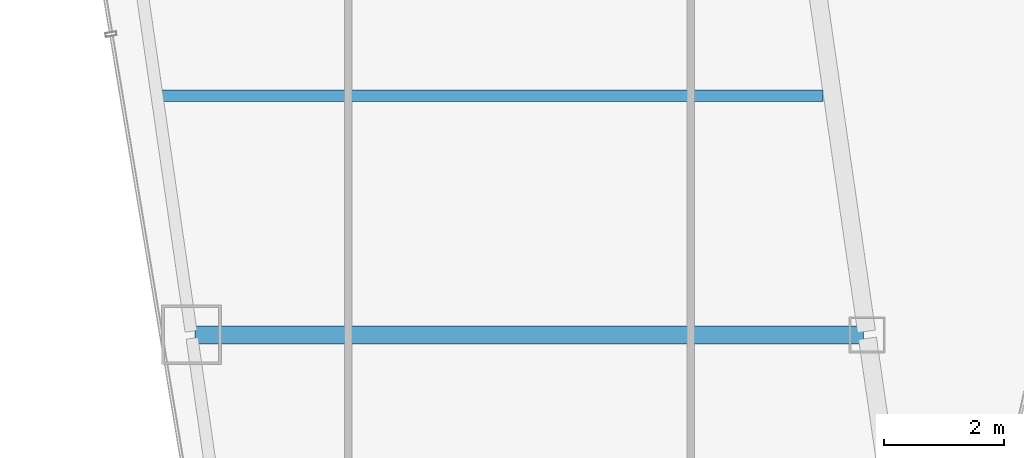
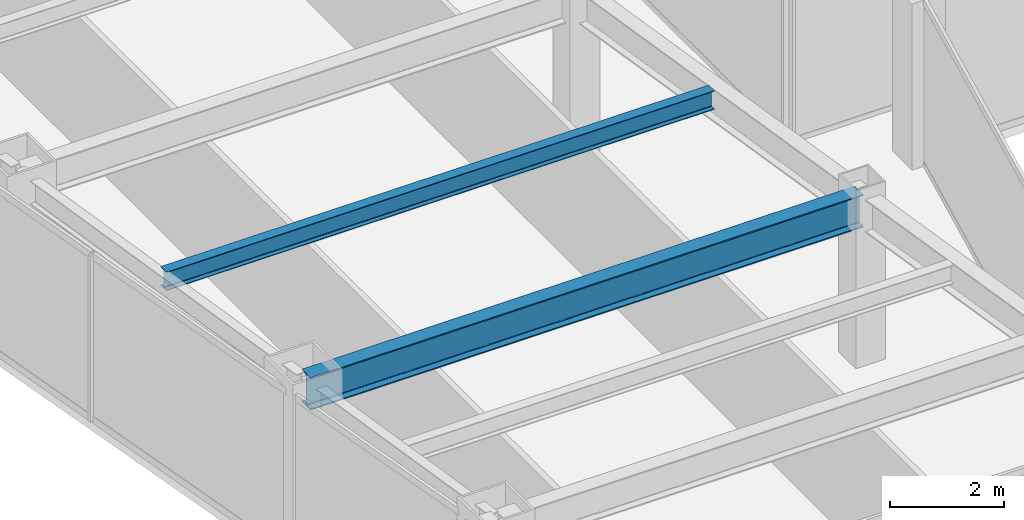
# One storey, part 4 of 38: 2 beams.
"""IFC4 building model written with IfcOpenShell, lengths in metres."""

from ifc_helpers import new_model, si_unit, direction, frame, origin, origin_2d, place, context, subcontext, project, spatial, i_section, extrude, material, material_profile, profile_set, type_object, element, save


model = new_model("IFC4")

# Units and contexts
model_context = context("Model", 3, precision=1e-05, world=origin(), true_north=direction((0.0, 1.0)))
body_context = subcontext(model_context, "Body", "Model", "MODEL_VIEW")
ifc_project = project(units=[si_unit("LENGTHUNIT", "METRE"), si_unit("AREAUNIT", "SQUARE_METRE"), si_unit("VOLUMEUNIT", "CUBIC_METRE"), si_unit("PLANEANGLEUNIT", "RADIAN"), si_unit("MASSUNIT", "GRAM", prefix="KILO")], contexts=[model_context])

# Site, building, storey
site_placement = place(None, origin())
site = spatial("IfcSite", under=ifc_project, at=site_placement, CompositionType="ELEMENT")
building_placement = place(site_placement, origin())
building = spatial("IfcBuilding", under=site, at=building_placement, Name="Saevonmaru Cultural Tower", CompositionType="ELEMENT")
storey_placement = place(building_placement, frame((0.0, 0.0, 137.199951171875)))
storey = spatial("IfcBuildingStorey", under=building, at=storey_placement, Name="L29", CompositionType="ELEMENT", Elevation=137.199951171875)

# Beams
ifc_material = material(Name="Steel SM355", Category="steel")
ifc_material_profile_1 = material_profile(ifc_material, i_section(OverallWidth=0.300048828125, OverallDepth=0.699951171875, WebThickness=0.012939453125, FlangeThickness=0.02392578125, FilletRadius=0.02587890625, at=origin_2d()), Name="H-700x300x13x24")
ifc_profile_set_1 = profile_set([ifc_material_profile_1], Name="Steel SM355")
beam_type_1 = type_object("IfcBeamType", Name="BM-G-H700", PredefinedType="BEAM", material=ifc_profile_set_1)
beam_1_placement = place(storey_placement, frame((10.68798828125, 16.0, 3.199951171875), z_axis=(1.0, 0.0, 0.0), x_axis=(0.0, 1.0, 0.0)))
element("IfcBeam", 1, at=beam_1_placement, inside=storey, type_object=beam_type_1, Name="L29 West Wing Transverse Girder 2", PredefinedType="BEAM", context=body_context, shape_type="SweptSolid", body=[
    extrude(i_section(OverallWidth=0.300048828125, OverallDepth=0.699951171875, WebThickness=0.012939453125, FlangeThickness=0.02392578125, FilletRadius=0.02587890625, at=origin_2d()), origin(), (0.0, 0.0, 1.0), 11.179931640625),
])
ifc_material_profile_2 = material_profile(ifc_material, i_section(OverallWidth=0.199951171875, OverallDepth=0.39990234375, WebThickness=0.008056640625, FlangeThickness=0.012939453125, FilletRadius=0.01611328125, at=origin_2d()), Name="H-400x200x8x13")
ifc_profile_set_2 = profile_set([ifc_material_profile_2], Name="Steel SM355")
beam_type_2 = type_object("IfcBeamType", Name="BM-J-H400", PredefinedType="JOIST", material=ifc_profile_set_2)
beam_2_placement = place(storey_placement, frame((10.110107421875, 20.0, 3.35009765625), z_axis=(1.0, 0.0, 0.0), x_axis=(0.0, 1.0, 0.0)))
element("IfcBeam", 2, at=beam_2_placement, inside=storey, type_object=beam_type_2, Name="L29 West Wing Floor Joist 2", PredefinedType="JOIST", context=body_context, shape_type="SweptSolid", body=[
    extrude(i_section(OverallWidth=0.199951171875, OverallDepth=0.39990234375, WebThickness=0.008056640625, FlangeThickness=0.012939453125, FilletRadius=0.01611328125, at=origin_2d()), origin(), (0.0, 0.0, 1.0), 11.081787109375),
])

save(model, "model.ifc")
